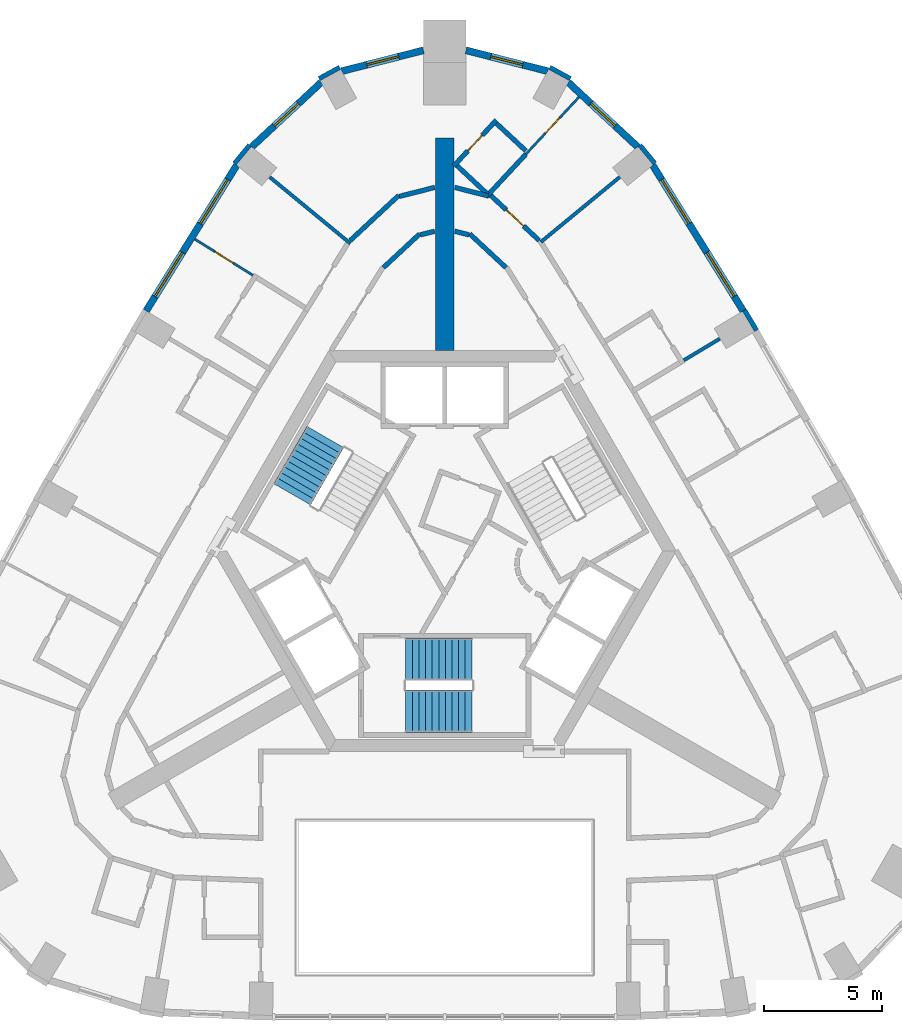
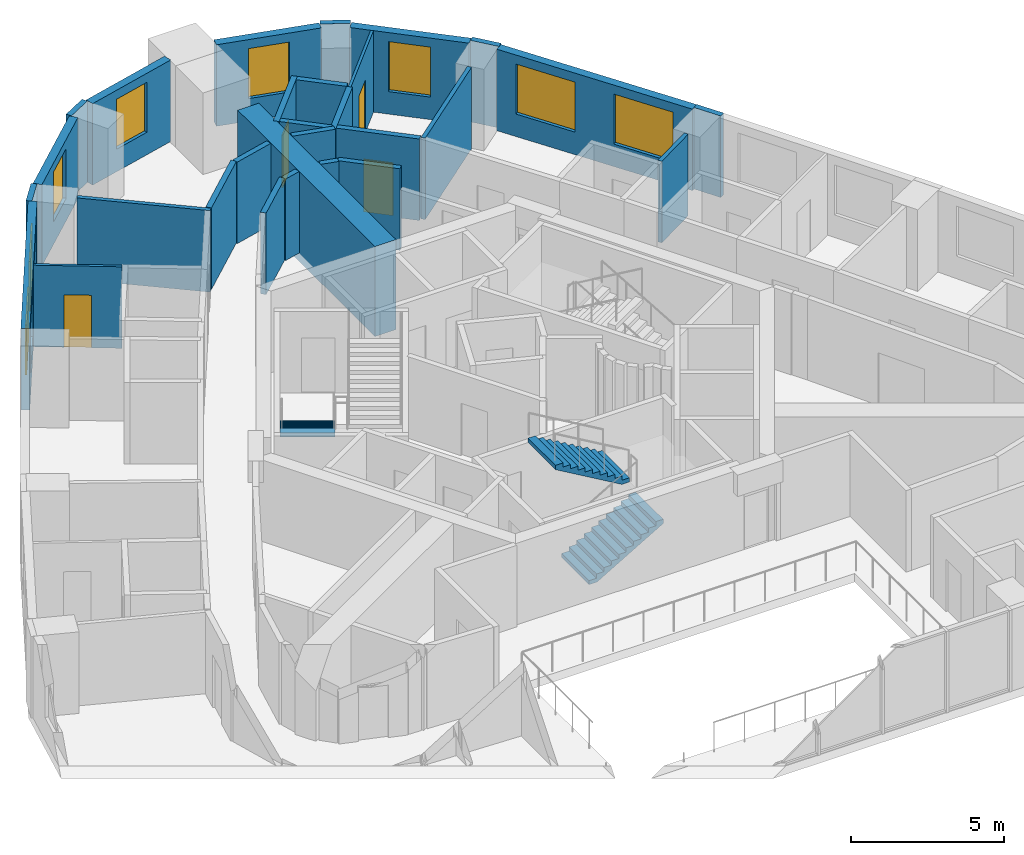
# One storey, part 7 of 9: 29 walls, 8 windows, 4 doors, 3 stair flights, 12 openings, 2 elements without a shape of their own.
"""IFC4 building model written with IfcOpenShell, lengths in metres."""

from ifc_helpers import new_model, si_unit, direction, frame, frame_2d, origin, place, context, subcontext, project, spatial, polyline, rectangle, outline, extrude, material, layer, layer_set, type_object, element, fill, aggregate, save


model = new_model("IFC4")

# Units and contexts
model_context = context("Model", 3, precision=1e-05, world=origin(), true_north=direction((0.0, 1.0)))
body_context = subcontext(model_context, "Body", "Model", "MODEL_VIEW")
ifc_project = project(units=[si_unit("LENGTHUNIT", "METRE"), si_unit("AREAUNIT", "SQUARE_METRE"), si_unit("VOLUMEUNIT", "CUBIC_METRE"), si_unit("PLANEANGLEUNIT", "RADIAN"), si_unit("MASSUNIT", "GRAM", prefix="KILO")], contexts=[model_context])

# Site, building, storey
site_placement = place(None, origin())
site = spatial("IfcSite", under=ifc_project, at=site_placement, CompositionType="ELEMENT")
building_placement = place(site_placement, origin())
building = spatial("IfcBuilding", under=site, at=building_placement, Name="Entoto Arch Interchange Tower", CompositionType="ELEMENT")
storey_placement = place(building_placement, frame((0.0, 0.0, 290.0)))
storey = spatial("IfcBuildingStorey", under=building, at=storey_placement, Name="L67", CompositionType="ELEMENT", Elevation=290.0)

# Wall
ifc_material_1 = material(Name="Concrete C40/50", Category="concrete")
ifc_layer_1 = layer(ifc_material_1, 0.800048828125)
ifc_layer_set_1 = layer_set([ifc_layer_1], Name="Concrete C40/50")
wall_type_1 = type_object("IfcWallType", Name="Buttress wall 800 C40/50", PredefinedType="SHEAR", material=ifc_layer_set_1)
wall_1_placement = place(storey_placement, frame((0.0, 11.0, -0.340087890625), z_axis=(0.0, 0.0, 1.0), x_axis=(0.0, 1.0, 0.0)))
element("IfcWall", 1, at=wall_1_placement, inside=storey, type_object=wall_type_1, Name="Buttress wall N L67", PredefinedType="SHEAR", context=body_context, shape_type="SweptSolid", body=[
    extrude(rectangle(XDim=9.0, YDim=0.800048828125, at=frame_2d((4.5, 0.0))), origin(), (0.0, 0.0, 1.0), 3.60009765625),
])

# Wall, opening, door
ifc_material_2 = material(Name="Gypsum board partition on steel studs", Category="steel")
ifc_layer_2 = layer(ifc_material_2, 0.10009765625)
ifc_layer_set_2 = layer_set([ifc_layer_2], Name="Gypsum board partition on steel studs")
wall_type_2 = type_object("IfcWallType", Name="PARTITION 100", PredefinedType="PARTITIONING", material=ifc_layer_set_2)
wall_2_placement = place(storey_placement, frame((3.444091796875, 19.322021484375, 0.0), z_axis=(0.0, 0.0, 1.0), x_axis=(0.68085394361, 0.732419215662, 0.0)))
wall_2 = element("IfcWall", 2, at=wall_2_placement, inside=storey, type_object=wall_type_2, Name="wall:L67:p107", PredefinedType="PARTITIONING", context=body_context, shape_type="SweptSolid", body=[
    extrude(rectangle(XDim=3.300048828125, YDim=0.10009765625, at=frame_2d((1.64990234375, 0.0))), origin(), (0.0, 0.0, 1.0), 3.260009765625),
])
opening_1_placement = place(wall_2_placement, frame((1.199951171875, 0.0, 0.0)))
opening_1 = element("IfcOpeningElement", 3, at=opening_1_placement, cuts=wall_2, Name="Opening L67-D14", PredefinedType="OPENING", context=body_context, shape_type="SweptSolid", body=[
    extrude(rectangle(XDim=0.89990234375, YDim=2.10009765625, at=frame_2d((0.449951171875, 1.050048828125))), frame((0.0, 0.06005859375, 0.0), z_axis=(0.0, -1.0, 0.0), x_axis=(1.0, 0.0, 0.0)), (0.0, 0.0, 1.0), 0.1201171875),
])
ifc_material_3 = material(Name="Timber door leaf in Steel S235 frame", Category="steel")
door_type_1 = type_object("IfcDoorType", Name="DOOR DS-09 900x2100", OperationType="SINGLE_SWING_LEFT", PredefinedType="DOOR", material=ifc_material_3)
door_1_placement = place(opening_1_placement, origin())
door_1 = element("IfcDoor", 4, at=door_1_placement, inside=storey, type_object=door_type_1, Name="door:L67:14", OperationType="SINGLE_SWING_LEFT", OverallHeight=2.10009765625, OverallWidth=0.89990234375, PredefinedType="DOOR", context=body_context, shape_type="SweptSolid", body=[
    extrude(rectangle(XDim=0.89990234375, YDim=2.10009765625, at=frame_2d((0.449951171875, 1.050048828125))), frame((0.0, 0.02490234375, 0.0), z_axis=(0.0, -1.0, 0.0), x_axis=(1.0, 0.0, 0.0)), (0.0, 0.0, 1.0), 0.050048828125),
])
fill(opening_1, door_1)

wall_3_placement = place(storey_placement, frame((-8.1298828125, 14.18505859375, 0.0), z_axis=(0.0, 0.0, 1.0), x_axis=(-0.849305726881, 0.527901299759, 0.0)))
wall_3 = element("IfcWall", 5, at=wall_3_placement, inside=storey, type_object=wall_type_2, Name="wall:L67:p113", PredefinedType="PARTITIONING", context=body_context, shape_type="SweptSolid", body=[
    extrude(rectangle(XDim=2.900146484375, YDim=0.10009765625, at=frame_2d((1.4501953125, 0.0))), origin(), (0.0, 0.0, 1.0), 3.260009765625),
])
opening_2_placement = place(wall_3_placement, frame((1.0, 0.0, 0.0)))
opening_2 = element("IfcOpeningElement", 6, at=opening_2_placement, cuts=wall_3, Name="Opening L67-D17", PredefinedType="OPENING", context=body_context, shape_type="SweptSolid", body=[
    extrude(rectangle(XDim=0.89990234375, YDim=2.10009765625, at=frame_2d((0.449951171875, 1.050048828125))), frame((0.0, 0.06005859375, 0.0), z_axis=(0.0, -1.0, 0.0), x_axis=(1.0, 0.0, 0.0)), (0.0, 0.0, 1.0), 0.1201171875),
])
door_2_placement = place(opening_2_placement, origin())
door_2 = element("IfcDoor", 7, at=door_2_placement, inside=storey, type_object=door_type_1, Name="door:L67:17", OperationType="SINGLE_SWING_LEFT", OverallHeight=2.10009765625, OverallWidth=0.89990234375, PredefinedType="DOOR", context=body_context, shape_type="SweptSolid", body=[
    extrude(rectangle(XDim=0.89990234375, YDim=2.10009765625, at=frame_2d((0.449951171875, 1.050048828125))), frame((0.0, 0.02490234375, 0.0), z_axis=(0.0, -1.0, 0.0), x_axis=(1.0, 0.0, 0.0)), (0.0, 0.0, 1.0), 0.050048828125),
])
fill(opening_2, door_2)

# Walls
ifc_layer_3 = layer(ifc_material_2, 0.14990234375)
ifc_layer_set_3 = layer_set([ifc_layer_3], Name="Gypsum board partition on steel studs")
wall_type_3 = type_object("IfcWallType", Name="PARTITION 150", PredefinedType="PARTITIONING", material=ifc_layer_set_3)
wall_4_placement = place(storey_placement, frame((10.133056640625, 10.580078125, 0.0), z_axis=(0.0, 0.0, 1.0), x_axis=(0.857903919212, 0.513810145287, 0.0)))
element("IfcWall", 8, at=wall_4_placement, inside=storey, type_object=wall_type_3, Name="wall:L67:p102", PredefinedType="PARTITIONING", context=body_context, shape_type="SweptSolid", body=[
    extrude(rectangle(XDim=1.781005859375, YDim=0.14990234375, at=frame_2d((0.890625, 0.0))), origin(), (0.0, 0.0, 1.0), 3.260009765625),
])
wall_5_placement = place(storey_placement, frame((4.074951171875, 15.594970703125, 0.0), z_axis=(0.0, 0.0, 1.0), x_axis=(0.771899326406, 0.635744783616, 0.0)))
element("IfcWall", 9, at=wall_5_placement, inside=storey, type_object=wall_type_3, Name="wall:L67:p106", PredefinedType="PARTITIONING", context=body_context, shape_type="SweptSolid", body=[
    extrude(rectangle(XDim=4.332275390625, YDim=0.14990234375, at=frame_2d((2.166015625, 0.0))), origin(), (0.0, 0.0, 1.0), 3.260009765625),
])
wall_6_placement = place(storey_placement, frame((-3.998046875, 15.531982421875, 0.0), z_axis=(0.0, 0.0, 1.0), x_axis=(-0.771938186867, 0.635697597649, 0.0)))
element("IfcWall", 10, at=wall_6_placement, inside=storey, type_object=wall_type_3, Name="wall:L67:p112", PredefinedType="PARTITIONING", context=body_context, shape_type="SweptSolid", body=[
    extrude(rectangle(XDim=4.431640625, YDim=0.14990234375, at=frame_2d((2.2158203125, 0.0))), origin(), (0.0, 0.0, 1.0), 3.260009765625),
])
ifc_layer_4 = layer(ifc_material_2, 0.199951171875)
ifc_layer_set_4 = layer_set([ifc_layer_4], Name="Gypsum board partition on steel studs")
wall_type_4 = type_object("IfcWallType", Name="PARTITION 200", PredefinedType="PARTITIONING", material=ifc_layer_set_4)
wall_7_placement = place(storey_placement, frame((2.60009765625, 14.509033203125, 0.0), z_axis=(0.0, 0.0, 1.0), x_axis=(-0.732355024595, 0.680922989735, 0.0)))
element("IfcWall", 11, at=wall_7_placement, inside=storey, type_object=wall_type_4, Name="wall:L67:p007", PredefinedType="PARTITIONING", context=body_context, shape_type="SweptSolid", body=[
    extrude(rectangle(XDim=2.102783203125, YDim=0.199951171875, at=frame_2d((1.05126953125, 0.0))), origin(), (0.0, 0.0, 1.0), 3.260009765625),
])
for number, where, z_axis, x_axis, name in (
    (12, (1.035888671875, 15.89794921875, 0.0), (0.0, 0.0, 1.0), (-0.968899933785, 0.247452860787, 0.0), "wall:L67:p008"),
    (13, (-0.425048828125, 16.053955078125, 0.0), (0.0, 0.0, 1.0), (-0.968899933785, -0.247452860787, 0.0), "wall:L67:p009"),
):
    element("IfcWall", number, at=place(storey_placement, frame(where, z_axis=z_axis, x_axis=x_axis)), inside=storey, type_object=wall_type_4, Name=name, PredefinedType="PARTITIONING", context=body_context, shape_type="SweptSolid", body=[
        extrude(rectangle(XDim=0.63037109375, YDim=0.199951171875, at=frame_2d((0.315185546875, 0.0))), origin(), (0.0, 0.0, 1.0), 3.260009765625),
    ])
wall_8_placement = place(storey_placement, frame((-1.06005859375, 15.94091796875, 0.0), z_axis=(0.0, 0.0, 1.0), x_axis=(-0.732355024595, -0.680922989735, 0.0)))
element("IfcWall", 14, at=wall_8_placement, inside=storey, type_object=wall_type_4, Name="wall:L67:p010", PredefinedType="PARTITIONING", context=body_context, shape_type="SweptSolid", body=[
    extrude(rectangle(XDim=2.102783203125, YDim=0.199951171875, at=frame_2d((1.05126953125, 0.0))), origin(), (0.0, 0.0, 1.0), 3.260009765625),
])

# Wall, opening, door
wall_9_placement = place(storey_placement, frame((1.948974609375, 17.572021484375, 0.0), z_axis=(0.0, 0.0, 1.0), x_axis=(0.732331154554, -0.680948661846, 0.0)))
wall_9 = element("IfcWall", 15, at=wall_9_placement, inside=storey, type_object=wall_type_4, Name="wall:L67:p042", PredefinedType="PARTITIONING", context=body_context, shape_type="SweptSolid", body=[
    extrude(rectangle(XDim=2.803466796875, YDim=0.199951171875, at=frame_2d((1.40185546875, 0.0))), origin(), (0.0, 0.0, 1.0), 3.260009765625),
])
opening_3_placement = place(wall_9_placement, frame((0.90087890625, 0.0, 0.0)))
opening_3 = element("IfcOpeningElement", 16, at=opening_3_placement, cuts=wall_9, Name="Opening L67-D13", PredefinedType="OPENING", context=body_context, shape_type="SweptSolid", body=[
    extrude(rectangle(XDim=1.0, YDim=2.10009765625, at=frame_2d((0.5, 1.050048828125))), frame((0.0, 0.10986328125, 0.0), z_axis=(0.0, -1.0, 0.0), x_axis=(1.0, 0.0, 0.0)), (0.0, 0.0, 1.0), 0.219970703125),
])
ifc_material_4 = material(Name="Fire-rated Steel S235 door and frame", Category="steel")
door_type_2 = type_object("IfcDoorType", Name="DOOR FD-10 1000x2100", OperationType="SINGLE_SWING_LEFT", PredefinedType="DOOR", material=ifc_material_4)
door_3_placement = place(opening_3_placement, origin())
door_3 = element("IfcDoor", 17, at=door_3_placement, inside=storey, type_object=door_type_2, Name="door:L67:13", OperationType="SINGLE_SWING_LEFT", OverallHeight=2.10009765625, OverallWidth=1.0, PredefinedType="DOOR", context=body_context, shape_type="SweptSolid", body=[
    extrude(rectangle(XDim=1.0, YDim=2.10009765625, at=frame_2d((0.5, 1.050048828125))), frame((0.0, 0.02490234375, 0.0), z_axis=(0.0, -1.0, 0.0), x_axis=(1.0, 0.0, 0.0)), (0.0, 0.0, 1.0), 0.050048828125),
])
fill(opening_3, door_3)

# Walls
wall_10_placement = place(storey_placement, frame((-4.001953125, 15.6630859375, 0.0), z_axis=(0.0, 0.0, 1.0), x_axis=(0.732331154554, 0.680948661846, 0.0)))
element("IfcWall", 18, at=wall_10_placement, inside=storey, type_object=wall_type_4, Name="wall:L67:p043", PredefinedType="PARTITIONING", context=body_context, shape_type="SweptSolid", body=[
    extrude(rectangle(XDim=2.803466796875, YDim=0.199951171875, at=frame_2d((1.40185546875, 0.0))), origin(), (0.0, 0.0, 1.0), 3.260009765625),
])
wall_11_placement = place(storey_placement, frame((-1.926025390625, 17.528076171875, 0.0), z_axis=(0.0, 0.0, 1.0), x_axis=(0.968981980879, 0.247131383542, 0.0)))
element("IfcWall", 19, at=wall_11_placement, inside=storey, type_object=wall_type_4, Name="wall:L67:p044", PredefinedType="PARTITIONING", context=body_context, shape_type="SweptSolid", body=[
    extrude(rectangle(XDim=1.549072265625, YDim=0.199951171875, at=frame_2d((0.7744140625, 0.0))), origin(), (0.0, 0.0, 1.0), 3.260009765625),
])
wall_12_placement = place(storey_placement, frame((0.425048828125, 17.910888671875, 0.0), z_axis=(0.0, 0.0, 1.0), x_axis=(0.969051069597, -0.246860334023, 0.0)))
element("IfcWall", 20, at=wall_12_placement, inside=storey, type_object=wall_type_4, Name="wall:L67:p045", PredefinedType="PARTITIONING", context=body_context, shape_type="SweptSolid", body=[
    extrude(rectangle(XDim=1.4736328125, YDim=0.199951171875, at=frame_2d((0.73681640625, 0.0))), origin(), (0.0, 0.0, 1.0), 3.260009765625),
])
wall_13_placement = place(storey_placement, frame((1.77587890625, 17.528076171875, 0.0), z_axis=(0.0, 0.0, 1.0), x_axis=(0.680978439741, 0.732303464834, 0.0)))
element("IfcWall", 21, at=wall_13_placement, inside=storey, type_object=wall_type_4, Name="wall:L67:p108", PredefinedType="PARTITIONING", context=body_context, shape_type="SweptSolid", body=[
    extrude(rectangle(XDim=2.44970703125, YDim=0.199951171875, at=frame_2d((1.224853515625, 0.0))), origin(), (0.0, 0.0, 1.0), 3.260009765625),
])
wall_14_placement = place(storey_placement, frame((3.43896484375, 19.464111328125, 0.0), z_axis=(0.0, 0.0, 1.0), x_axis=(-0.732491549411, 0.68077612329, 0.0)))
element("IfcWall", 22, at=wall_14_placement, inside=storey, type_object=wall_type_4, Name="wall:L67:p109", PredefinedType="PARTITIONING", context=body_context, shape_type="SweptSolid", body=[
    extrude(rectangle(XDim=1.699462890625, YDim=0.199951171875, at=frame_2d((0.849609375, 0.0))), origin(), (0.0, 0.0, 1.0), 3.260009765625),
])

# Wall, opening, door
wall_15_placement = place(storey_placement, frame((2.18896484375, 20.762939453125, 0.0), z_axis=(0.0, 0.0, 1.0), x_axis=(-0.680987945319, -0.73229462536, 0.0)))
wall_15 = element("IfcWall", 23, at=wall_15_placement, inside=storey, type_object=wall_type_4, Name="wall:L67:p110", PredefinedType="PARTITIONING", context=body_context, shape_type="SweptSolid", body=[
    extrude(rectangle(XDim=2.650390625, YDim=0.199951171875, at=frame_2d((1.3251953125, 0.0))), origin(), (0.0, 0.0, 1.0), 3.260009765625),
])
opening_4_placement = place(wall_15_placement, frame((0.875, 0.0, 0.0)))
opening_4 = element("IfcOpeningElement", 24, at=opening_4_placement, cuts=wall_15, Name="Opening L67-D15", PredefinedType="OPENING", context=body_context, shape_type="SweptSolid", body=[
    extrude(rectangle(XDim=0.89990234375, YDim=2.10009765625, at=frame_2d((0.449951171875, 1.050048828125))), frame((0.0, 0.10986328125, 0.0), z_axis=(0.0, -1.0, 0.0), x_axis=(1.0, 0.0, 0.0)), (0.0, 0.0, 1.0), 0.219970703125),
])
door_4_placement = place(opening_4_placement, origin())
door_4 = element("IfcDoor", 25, at=door_4_placement, inside=storey, type_object=door_type_1, Name="door:L67:15", OperationType="SINGLE_SWING_LEFT", OverallHeight=2.10009765625, OverallWidth=0.89990234375, PredefinedType="DOOR", context=body_context, shape_type="SweptSolid", body=[
    extrude(rectangle(XDim=0.89990234375, YDim=2.10009765625, at=frame_2d((0.449951171875, 1.050048828125))), frame((0.0, 0.02490234375, 0.0), z_axis=(0.0, -1.0, 0.0), x_axis=(1.0, 0.0, 0.0)), (0.0, 0.0, 1.0), 0.050048828125),
])
fill(opening_4, door_4)

# Wall
wall_16_placement = place(storey_placement, frame((0.52587890625, 18.826904296875, 0.0), z_axis=(0.0, 0.0, 1.0), x_axis=(0.732112296378, -0.681183958628, 0.0)))
element("IfcWall", 26, at=wall_16_placement, inside=storey, type_object=wall_type_4, Name="wall:L67:p111", PredefinedType="PARTITIONING", context=body_context, shape_type="SweptSolid", body=[
    extrude(rectangle(XDim=1.749755859375, YDim=0.199951171875, at=frame_2d((0.875, 0.0))), origin(), (0.0, 0.0, 1.0), 3.260009765625),
])

# Wall, openings, windows
ifc_material_5 = material(Name="Welded tuff (ignimbrite) cladding, warm buff", Category="masonry")
ifc_layer_5 = layer(ifc_material_5, 0.300048828125)
ifc_layer_set_5 = layer_set([ifc_layer_5], Name="Welded tuff (ignimbrite) cladding, warm buff")
wall_type_5 = type_object("IfcWallType", Name="STONE INFILL WALL 300", PredefinedType="STANDARD", material=ifc_layer_set_5)
wall_17_placement = place(storey_placement, frame((12.658935546875, 12.675048828125, 0.0), z_axis=(0.0, 0.0, 1.0), x_axis=(-0.527762071678, 0.849392250788, 0.0)))
wall_17 = element("IfcWall", 27, at=wall_17_placement, inside=storey, type_object=wall_type_5, Name="Facade wall NE-03 L67", PredefinedType="STANDARD", context=body_context, shape_type="SweptSolid", body=[
    extrude(rectangle(XDim=7.275634765625, YDim=0.300048828125, at=frame_2d((3.6376953125, 0.0))), origin(), (0.0, 0.0, 1.0), 3.260009765625),
])
opening_5_placement = place(wall_17_placement, frame((0.718994140625, 0.0, 0.89990234375)))
opening_5 = element("IfcOpeningElement", 28, at=opening_5_placement, cuts=wall_17, Name="Opening WH-A", PredefinedType="OPENING", context=body_context, shape_type="SweptSolid", body=[
    extrude(rectangle(XDim=2.199951171875, YDim=2.0, at=frame_2d((1.10009765625, 1.0))), frame((0.0, 0.16015625, 0.0), z_axis=(0.0, -1.0, 0.0), x_axis=(1.0, 0.0, 0.0)), (0.0, 0.0, 1.0), 0.320068359375),
])
opening_6_placement = place(wall_17_placement, frame((4.35693359375, 0.0, 0.89990234375)))
opening_6 = element("IfcOpeningElement", 29, at=opening_6_placement, cuts=wall_17, Name="Opening WH-A", PredefinedType="OPENING", context=body_context, shape_type="SweptSolid", body=[
    extrude(rectangle(XDim=2.199951171875, YDim=2.0, at=frame_2d((1.10009765625, 1.0))), frame((0.0, 0.16015625, 0.0), z_axis=(0.0, -1.0, 0.0), x_axis=(1.0, 0.0, 0.0)), (0.0, 0.0, 1.0), 0.320068359375),
])
ifc_material_6 = material(Name="Clear glass, low-e double glazed", Category="glass")
window_type_1 = type_object("IfcWindowType", Name="WINDOW WH-A 2200x2000", PartitioningType="DOUBLE_PANEL_VERTICAL", PredefinedType="WINDOW", material=ifc_material_6)
window_1_placement = place(opening_5_placement, origin())
window_1 = element("IfcWindow", 30, at=window_1_placement, inside=storey, type_object=window_type_1, Name="Window WH-A NE-03 L67", OverallHeight=2.0, OverallWidth=2.199951171875, PartitioningType="SINGLE_PANEL", PredefinedType="WINDOW", context=body_context, shape_type="SweptSolid", body=[
    extrude(rectangle(XDim=2.199951171875, YDim=2.0, at=frame_2d((1.10009765625, 1.0))), frame((0.0, 0.030029296875, 0.0), z_axis=(0.0, -1.0, 0.0), x_axis=(1.0, 0.0, 0.0)), (0.0, 0.0, 1.0), 0.06005859375),
])
fill(opening_5, window_1)
window_2_placement = place(opening_6_placement, origin())
window_2 = element("IfcWindow", 31, at=window_2_placement, inside=storey, type_object=window_type_1, Name="Window WH-A NE-03 L67", OverallHeight=2.0, OverallWidth=2.199951171875, PartitioningType="SINGLE_PANEL", PredefinedType="WINDOW", context=body_context, shape_type="SweptSolid", body=[
    extrude(rectangle(XDim=2.199951171875, YDim=2.0, at=frame_2d((1.10009765625, 1.0))), frame((0.0, 0.030029296875, 0.0), z_axis=(0.0, -1.0, 0.0), x_axis=(1.0, 0.0, 0.0)), (0.0, 0.0, 1.0), 0.06005859375),
])
fill(opening_6, window_2)

# Wall, opening, window
wall_18_placement = place(storey_placement, frame((8.18408203125, 19.6259765625, 0.0), z_axis=(0.0, 0.0, 1.0), x_axis=(-0.732397380344, 0.680877431896, 0.0)))
wall_18 = element("IfcWall", 32, at=wall_18_placement, inside=storey, type_object=wall_type_5, Name="Facade wall N-01 L67", PredefinedType="STANDARD", context=body_context, shape_type="SweptSolid", body=[
    extrude(rectangle(XDim=4.0185546875, YDim=0.300048828125, at=frame_2d((2.00927734375, 0.0))), origin(), (0.0, 0.0, 1.0), 3.260009765625),
])
opening_7_placement = place(wall_18_placement, frame((1.30908203125, 0.0, 0.89990234375)))
opening_7 = element("IfcOpeningElement", 33, at=opening_7_placement, cuts=wall_18, Name="Opening WH-B", PredefinedType="OPENING", context=body_context, shape_type="SweptSolid", body=[
    extrude(rectangle(XDim=1.39990234375, YDim=2.0, at=frame_2d((0.699951171875, 1.0))), frame((0.0, 0.16015625, 0.0), z_axis=(0.0, -1.0, 0.0), x_axis=(1.0, 0.0, 0.0)), (0.0, 0.0, 1.0), 0.320068359375),
])
window_type_2 = type_object("IfcWindowType", Name="WINDOW WH-B 1400x2000", PartitioningType="DOUBLE_PANEL_VERTICAL", PredefinedType="WINDOW", material=ifc_material_6)
window_3_placement = place(opening_7_placement, origin())
window_3 = element("IfcWindow", 34, at=window_3_placement, inside=storey, type_object=window_type_2, Name="Window WH-B N-01 L67", OverallHeight=2.0, OverallWidth=1.39990234375, PartitioningType="SINGLE_PANEL", PredefinedType="WINDOW", context=body_context, shape_type="SweptSolid", body=[
    extrude(rectangle(XDim=1.39990234375, YDim=2.0, at=frame_2d((0.699951171875, 1.0))), frame((0.0, 0.030029296875, 0.0), z_axis=(0.0, -1.0, 0.0), x_axis=(1.0, 0.0, 0.0)), (0.0, 0.0, 1.0), 0.06005859375),
])
fill(opening_7, window_3)

wall_19_placement = place(storey_placement, frame((4.364990234375, 22.840087890625, 0.0), z_axis=(0.0, 0.0, 1.0), x_axis=(-0.968979290476, 0.247141932156, 0.0)))
wall_19 = element("IfcWall", 35, at=wall_19_placement, inside=storey, type_object=wall_type_5, Name="Facade wall N-02 L67", PredefinedType="STANDARD", context=body_context, shape_type="SweptSolid", body=[
    extrude(rectangle(XDim=3.576904296875, YDim=0.300048828125, at=frame_2d((1.78857421875, 0.0))), origin(), (0.0, 0.0, 1.0), 3.260009765625),
])
opening_8_placement = place(wall_19_placement, frame((1.087890625, 0.0, 0.89990234375)))
opening_8 = element("IfcOpeningElement", 36, at=opening_8_placement, cuts=wall_19, Name="Opening WH-B", PredefinedType="OPENING", context=body_context, shape_type="SweptSolid", body=[
    extrude(rectangle(XDim=1.39990234375, YDim=2.0, at=frame_2d((0.699951171875, 1.0))), frame((0.0, 0.16015625, 0.0), z_axis=(0.0, -1.0, 0.0), x_axis=(1.0, 0.0, 0.0)), (0.0, 0.0, 1.0), 0.320068359375),
])
window_4_placement = place(opening_8_placement, origin())
window_4 = element("IfcWindow", 37, at=window_4_placement, inside=storey, type_object=window_type_2, Name="Window WH-B N-02 L67", OverallHeight=2.0, OverallWidth=1.39990234375, PartitioningType="SINGLE_PANEL", PredefinedType="WINDOW", context=body_context, shape_type="SweptSolid", body=[
    extrude(rectangle(XDim=1.39990234375, YDim=2.0, at=frame_2d((0.699951171875, 1.0))), frame((0.0, 0.030029296875, 0.0), z_axis=(0.0, -1.0, 0.0), x_axis=(1.0, 0.0, 0.0)), (0.0, 0.0, 1.0), 0.06005859375),
])
fill(opening_8, window_4)

wall_20_placement = place(storey_placement, frame((-0.89892578125, 23.72412109375, 0.0), z_axis=(0.0, 0.0, 1.0), x_axis=(-0.968979290476, -0.247141932156, 0.0)))
wall_20 = element("IfcWall", 38, at=wall_20_placement, inside=storey, type_object=wall_type_5, Name="Facade wall N-03 L67", PredefinedType="STANDARD", context=body_context, shape_type="SweptSolid", body=[
    extrude(rectangle(XDim=3.576904296875, YDim=0.300048828125, at=frame_2d((1.78857421875, 0.0))), origin(), (0.0, 0.0, 1.0), 3.260009765625),
])
opening_9_placement = place(wall_20_placement, frame((1.087890625, 0.0, 0.89990234375)))
opening_9 = element("IfcOpeningElement", 39, at=opening_9_placement, cuts=wall_20, Name="Opening WH-B", PredefinedType="OPENING", context=body_context, shape_type="SweptSolid", body=[
    extrude(rectangle(XDim=1.39990234375, YDim=2.0, at=frame_2d((0.699951171875, 1.0))), frame((0.0, 0.16015625, 0.0), z_axis=(0.0, -1.0, 0.0), x_axis=(1.0, 0.0, 0.0)), (0.0, 0.0, 1.0), 0.320068359375),
])
window_5_placement = place(opening_9_placement, origin())
window_5 = element("IfcWindow", 40, at=window_5_placement, inside=storey, type_object=window_type_2, Name="Window WH-B N-03 L67", OverallHeight=2.0, OverallWidth=1.39990234375, PartitioningType="SINGLE_PANEL", PredefinedType="WINDOW", context=body_context, shape_type="SweptSolid", body=[
    extrude(rectangle(XDim=1.39990234375, YDim=2.0, at=frame_2d((0.699951171875, 1.0))), frame((0.0, 0.030029296875, 0.0), z_axis=(0.0, -1.0, 0.0), x_axis=(1.0, 0.0, 0.0)), (0.0, 0.0, 1.0), 0.06005859375),
])
fill(opening_9, window_5)

wall_21_placement = place(storey_placement, frame((-5.240966796875, 22.362060546875, 0.0), z_axis=(0.0, 0.0, 1.0), x_axis=(-0.732397380344, -0.680877431896, 0.0)))
wall_21 = element("IfcWall", 41, at=wall_21_placement, inside=storey, type_object=wall_type_5, Name="Facade wall N-04 L67", PredefinedType="STANDARD", context=body_context, shape_type="SweptSolid", body=[
    extrude(rectangle(XDim=4.0185546875, YDim=0.300048828125, at=frame_2d((2.00927734375, 0.0))), origin(), (0.0, 0.0, 1.0), 3.260009765625),
])
opening_10_placement = place(wall_21_placement, frame((1.30908203125, 0.0, 0.89990234375)))
opening_10 = element("IfcOpeningElement", 42, at=opening_10_placement, cuts=wall_21, Name="Opening WH-B", PredefinedType="OPENING", context=body_context, shape_type="SweptSolid", body=[
    extrude(rectangle(XDim=1.39990234375, YDim=2.0, at=frame_2d((0.699951171875, 1.0))), frame((0.0, 0.16015625, 0.0), z_axis=(0.0, -1.0, 0.0), x_axis=(1.0, 0.0, 0.0)), (0.0, 0.0, 1.0), 0.320068359375),
])
window_6_placement = place(opening_10_placement, origin())
window_6 = element("IfcWindow", 43, at=window_6_placement, inside=storey, type_object=window_type_2, Name="Window WH-B N-04 L67", OverallHeight=2.0, OverallWidth=1.39990234375, PartitioningType="SINGLE_PANEL", PredefinedType="WINDOW", context=body_context, shape_type="SweptSolid", body=[
    extrude(rectangle(XDim=1.39990234375, YDim=2.0, at=frame_2d((0.699951171875, 1.0))), frame((0.0, 0.030029296875, 0.0), z_axis=(0.0, -1.0, 0.0), x_axis=(1.0, 0.0, 0.0)), (0.0, 0.0, 1.0), 0.06005859375),
])
fill(opening_10, window_6)

# Wall, openings, windows
wall_22_placement = place(storey_placement, frame((-8.819091796875, 18.85498046875, 0.0), z_axis=(0.0, 0.0, 1.0), x_axis=(-0.527762071678, -0.849392250788, 0.0)))
wall_22 = element("IfcWall", 44, at=wall_22_placement, inside=storey, type_object=wall_type_5, Name="Facade wall NW-01 L67", PredefinedType="STANDARD", context=body_context, shape_type="SweptSolid", body=[
    extrude(rectangle(XDim=7.275634765625, YDim=0.300048828125, at=frame_2d((3.6376953125, 0.0))), origin(), (0.0, 0.0, 1.0), 3.260009765625),
])
opening_11_placement = place(wall_22_placement, frame((0.718994140625, 0.0, 0.89990234375)))
opening_11 = element("IfcOpeningElement", 45, at=opening_11_placement, cuts=wall_22, Name="Opening WH-A", PredefinedType="OPENING", context=body_context, shape_type="SweptSolid", body=[
    extrude(rectangle(XDim=2.199951171875, YDim=2.0, at=frame_2d((1.10009765625, 1.0))), frame((0.0, 0.16015625, 0.0), z_axis=(0.0, -1.0, 0.0), x_axis=(1.0, 0.0, 0.0)), (0.0, 0.0, 1.0), 0.320068359375),
])
opening_12_placement = place(wall_22_placement, frame((4.35693359375, 0.0, 0.89990234375)))
opening_12 = element("IfcOpeningElement", 46, at=opening_12_placement, cuts=wall_22, Name="Opening WH-A", PredefinedType="OPENING", context=body_context, shape_type="SweptSolid", body=[
    extrude(rectangle(XDim=2.199951171875, YDim=2.0, at=frame_2d((1.10009765625, 1.0))), frame((0.0, 0.16015625, 0.0), z_axis=(0.0, -1.0, 0.0), x_axis=(1.0, 0.0, 0.0)), (0.0, 0.0, 1.0), 0.320068359375),
])
window_7_placement = place(opening_11_placement, origin())
window_7 = element("IfcWindow", 47, at=window_7_placement, inside=storey, type_object=window_type_1, Name="Window WH-A NW-01 L67", OverallHeight=2.0, OverallWidth=2.199951171875, PartitioningType="SINGLE_PANEL", PredefinedType="WINDOW", context=body_context, shape_type="SweptSolid", body=[
    extrude(rectangle(XDim=2.199951171875, YDim=2.0, at=frame_2d((1.10009765625, 1.0))), frame((0.0, 0.030029296875, 0.0), z_axis=(0.0, -1.0, 0.0), x_axis=(1.0, 0.0, 0.0)), (0.0, 0.0, 1.0), 0.06005859375),
])
fill(opening_11, window_7)
window_8_placement = place(opening_12_placement, origin())
window_8 = element("IfcWindow", 48, at=window_8_placement, inside=storey, type_object=window_type_1, Name="Window WH-A NW-01 L67", OverallHeight=2.0, OverallWidth=2.199951171875, PartitioningType="SINGLE_PANEL", PredefinedType="WINDOW", context=body_context, shape_type="SweptSolid", body=[
    extrude(rectangle(XDim=2.199951171875, YDim=2.0, at=frame_2d((1.10009765625, 1.0))), frame((0.0, 0.030029296875, 0.0), z_axis=(0.0, -1.0, 0.0), x_axis=(1.0, 0.0, 0.0)), (0.0, 0.0, 1.0), 0.06005859375),
])
fill(opening_12, window_8)

# Walls
ifc_layer_6 = layer(ifc_material_5, 0.199951171875)
ifc_layer_set_6 = layer_set([ifc_layer_6], Name="Welded tuff (ignimbrite) cladding, warm buff")
wall_type_6 = type_object("IfcWallType", Name="STONE PIER CLADDING 200", PredefinedType="STANDARD", material=ifc_layer_set_6)
for number, where, z_axis, x_axis, name in (
    (49, (5.3291015625, 22.52197265625, 0.0), (0.0, 0.0, 1.0), (-0.877895572914, 0.478852130681, 0.0), "Stone pier N1 L67"),
    (50, (-4.450927734375, 23.0009765625, 0.0), (0.0, 0.0, 1.0), (-0.877895572914, -0.478852130681, 0.0), "Stone pier N3 L67"),
    (51, (13.221923828125, 11.847900390625, 0.0), (0.0, 0.0, 1.0), (-0.513777707721, 0.857923345672, 0.0), "Stone pier NE03 L67"),
    (52, (8.910888671875, 18.928955078125, 0.0), (0.0, 0.0, 1.0), (-0.635852688617, 0.771810441999, 0.0), "Stone pier NE04 L67"),
    (53, (-8.27490234375, 19.700927734375, 0.0), (0.0, 0.0, 1.0), (-0.635852688617, -0.771810441999, 0.0), "Stone pier NW01 L67"),
):
    element("IfcWall", number, at=place(storey_placement, frame(where, z_axis=z_axis, x_axis=x_axis)), inside=storey, type_object=wall_type_6, Name=name, PredefinedType="STANDARD", context=body_context, shape_type="SweptSolid", body=[
        extrude(rectangle(XDim=1.000244140625, YDim=0.199951171875, at=frame_2d((0.5, 0.0))), origin(), (0.0, 0.0, 1.0), 3.260009765625),
    ])

# Stair, stair flights
stair_type = type_object("IfcStairType", Name="EXIT STAIR RC 1800", PredefinedType="HALF_TURN_STAIR", material=ifc_material_1)
stair_1_placement = place(storey_placement, origin())
stair_1 = element("IfcStair", 54, at=stair_1_placement, inside=storey, type_object=stair_type, Name="L67 Exit stair S", PredefinedType="HALF_TURN_STAIR")
stair_flight_type = type_object("IfcStairFlightType", Name="EXIT STAIR FLIGHT RC 1800", PredefinedType="STRAIGHT", material=ifc_material_1)
stair_flight_1_placement = place(storey_placement, frame((-1.64990234375, -4.300048828125, 0.0), z_axis=(0.0, 0.0, 1.0), x_axis=(1.0, 0.0, 0.0)))
stair_flight_1 = element("IfcStairFlight", 55, at=stair_flight_1_placement, type_object=stair_flight_type, Name="ST-S flight 1", NumberOfRisers=11, NumberOfTreads=10, PredefinedType="STRAIGHT", RiserHeight=0.163636364, TreadLength=0.28, context=body_context, shape_type="SweptSolid", body=[
    extrude(outline(polyline([(-0.0029296875, 0.0), (-0.0029296875, 0.16357421875), (0.280029296875, 0.16357421875), (0.280029296875, 0.327392578125), (0.56005859375, 0.327392578125), (0.56005859375, 0.490966796875), (0.840087890625, 0.490966796875), (0.840087890625, 0.654541015625), (1.1201171875, 0.654541015625), (1.1201171875, 0.818115234375), (1.39990234375, 0.818115234375), (1.39990234375, 0.98193359375), (1.679931640625, 0.98193359375), (1.679931640625, 1.1455078125), (1.9599609375, 1.1455078125), (1.9599609375, 1.30908203125), (2.239990234375, 1.30908203125), (2.239990234375, 1.47265625), (2.52001953125, 1.47265625), (2.52001953125, 1.636474609375), (2.800048828125, 1.636474609375), (2.802978515625, 1.636474609375), (2.802978515625, 1.464599609375), (0.297119140625, 0.0), (-0.0029296875, 0.0)])), frame((0.0, 0.89990234375, 0.0), z_axis=(0.0, -1.0, 0.0), x_axis=(1.0, 0.0, 0.0)), (0.0, 0.0, 1.0), 1.800048828125),
])
stair_flight_2_placement = place(storey_placement, frame((1.14990234375, -2.10009765625, 1.800048828125), z_axis=(0.0, 0.0, 1.0), x_axis=(-1.0, 0.0, 0.0)))
stair_flight_2 = element("IfcStairFlight", 56, at=stair_flight_2_placement, type_object=stair_flight_type, Name="ST-S flight 2", NumberOfRisers=11, NumberOfTreads=10, PredefinedType="STRAIGHT", RiserHeight=0.163636364, TreadLength=0.28, context=body_context, shape_type="SweptSolid", body=[
    extrude(outline(polyline([(-0.0029296875, 0.0), (-0.0029296875, 0.16357421875), (0.280029296875, 0.16357421875), (0.280029296875, 0.327392578125), (0.56005859375, 0.327392578125), (0.56005859375, 0.490966796875), (0.840087890625, 0.490966796875), (0.840087890625, 0.654541015625), (1.1201171875, 0.654541015625), (1.1201171875, 0.818115234375), (1.39990234375, 0.818115234375), (1.39990234375, 0.98193359375), (1.679931640625, 0.98193359375), (1.679931640625, 1.1455078125), (1.9599609375, 1.1455078125), (1.9599609375, 1.30908203125), (2.239990234375, 1.30908203125), (2.239990234375, 1.47265625), (2.52001953125, 1.47265625), (2.52001953125, 1.636474609375), (2.800048828125, 1.636474609375), (2.802978515625, 1.636474609375), (2.802978515625, 1.464599609375), (0.297119140625, 0.0), (-0.0029296875, 0.0)])), frame((0.0, 0.89990234375, 0.0), z_axis=(0.0, -1.0, 0.0), x_axis=(1.0, 0.0, 0.0)), (0.0, 0.0, 1.0), 1.800048828125),
])
aggregate(stair_1, [stair_flight_1, stair_flight_2])

# Stair, stair flight
stair_2_placement = place(storey_placement, origin())
stair_2 = element("IfcStair", 57, at=stair_2_placement, inside=storey, type_object=stair_type, Name="L67 Exit stair NW", PredefinedType="HALF_TURN_STAIR")
stair_flight_3_placement = place(storey_placement, frame((-5.06396484375, 7.328857421875, 0.0), z_axis=(0.0, 0.0, 1.0), x_axis=(-0.5, -0.866025403784, 0.0)))
stair_flight_3 = element("IfcStairFlight", 58, at=stair_flight_3_placement, type_object=stair_flight_type, Name="ST-NW flight 1", NumberOfRisers=11, NumberOfTreads=10, PredefinedType="STRAIGHT", RiserHeight=0.163636364, TreadLength=0.28, context=body_context, shape_type="SweptSolid", body=[
    extrude(outline(polyline([(-0.0029296875, 0.0), (-0.0029296875, 0.16357421875), (0.280029296875, 0.16357421875), (0.280029296875, 0.327392578125), (0.56005859375, 0.327392578125), (0.56005859375, 0.490966796875), (0.840087890625, 0.490966796875), (0.840087890625, 0.654541015625), (1.1201171875, 0.654541015625), (1.1201171875, 0.818115234375), (1.39990234375, 0.818115234375), (1.39990234375, 0.98193359375), (1.679931640625, 0.98193359375), (1.679931640625, 1.1455078125), (1.9599609375, 1.1455078125), (1.9599609375, 1.30908203125), (2.239990234375, 1.30908203125), (2.239990234375, 1.47265625), (2.52001953125, 1.47265625), (2.52001953125, 1.636474609375), (2.800048828125, 1.636474609375), (2.802978515625, 1.636474609375), (2.802978515625, 1.464599609375), (0.297119140625, 0.0), (-0.0029296875, 0.0)])), frame((0.0, 0.89990234375, 0.0), z_axis=(0.0, -1.0, 0.0), x_axis=(1.0, 0.0, 0.0)), (0.0, 0.0, 1.0), 1.800048828125),
])
aggregate(stair_2, [stair_flight_3])

save(model, "model.ifc")
